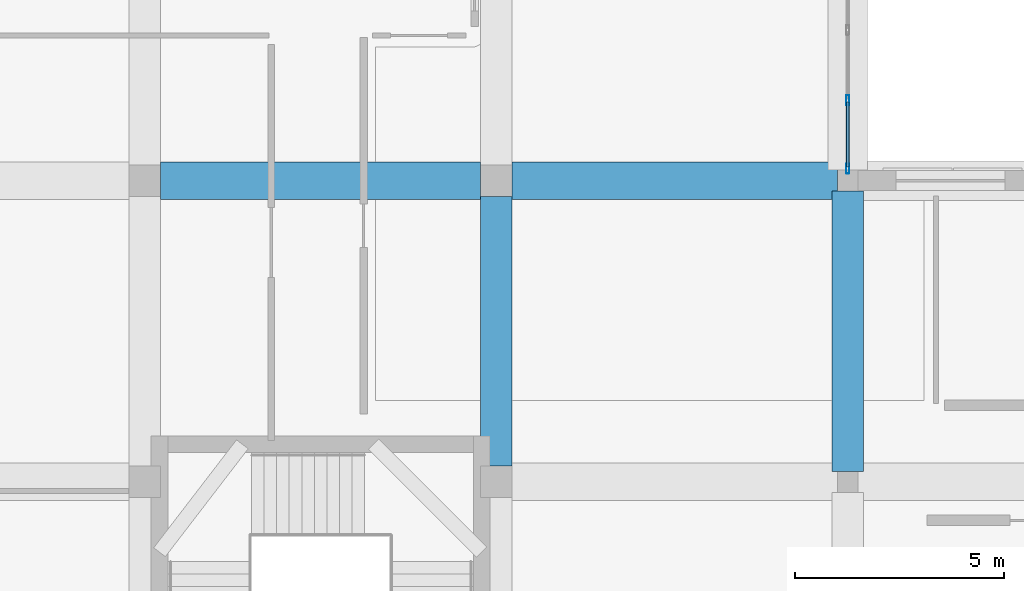
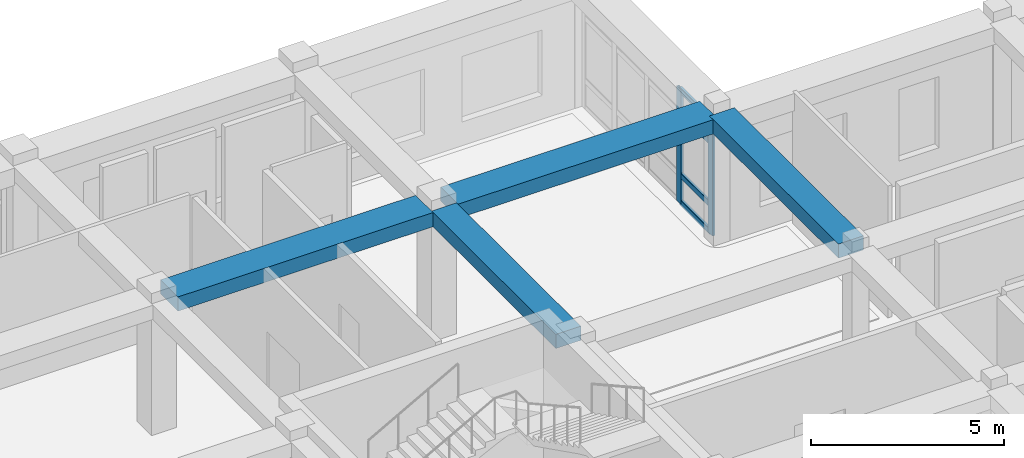
# One storey, part 57 of 121: 6 members, 4 beams, 1 element without a shape of its own.
"""IFC4 building model written with IfcOpenShell, lengths in metres."""

import ifcopenshell
import ifcopenshell.guid

model = None  # the IFC model being written
_history = None  # IfcOwnerHistory: only IFC2X3 demands one
_inside = {}  # id of a spatial element -> (the spatial element, [elements in it])
_under = {}  # id of a project, library or spatial element -> (it, [spatial elements below it])
_declared = {}  # id of a project -> (the project, [libraries it declares])
_typed = {}  # id of a type object -> (the type object, [elements of that type])
_made_of = {}  # id of a material, layer set ... -> (it, [elements and type objects made of it])


def new_model(schema):
    """Start an empty IFC model of exactly this schema.

    Asked for "IFC4X3", IfcOpenShell would pick the latest addendum, in which some entities
    have other attributes; the version numbers below select the first issue.
    IFC2X3 requires an IfcOwnerHistory on every rooted entity: one is made here for all.
    """
    global model, _history
    if schema == "IFC4X3":
        model = ifcopenshell.file(schema_version=(4, 3, 0, 0))
    else:
        model = ifcopenshell.file(schema=schema)
    _inside.clear()
    _under.clear()
    _declared.clear()
    _typed.clear()
    _made_of.clear()
    _history = None
    if model.schema == "IFC2X3":
        org = make("IfcOrganization", Name="unknown")
        user = make(
            "IfcPersonAndOrganization",
            ThePerson=make("IfcPerson", FamilyName="unknown"),
            TheOrganization=org,
        )
        app = make(
            "IfcApplication",
            ApplicationDeveloper=org,
            Version="unknown",
            ApplicationFullName="unknown",
            ApplicationIdentifier="unknown",
        )
        _history = make(
            "IfcOwnerHistory",
            OwningUser=user,
            OwningApplication=app,
            ChangeAction="ADDED",
            CreationDate=0,
        )
    return model


def make(cls, **values):
    """One entity of the class cls with the attributes given. An attribute that is None is left unset."""
    return model.create_entity(
        cls, **{name: value for name, value in values.items() if value is not None}
    )


def rooted(cls, **values):
    """An entity with a GlobalId (a new one), such as an element, a storey or a relation."""
    return make(cls, GlobalId=ifcopenshell.guid.new(), OwnerHistory=_history, **values)


def si_unit(unit_type, name, prefix=None):
    """IfcSIUnit, for example si_unit("LENGTHUNIT", "METRE", prefix="MILLI")."""
    return make("IfcSIUnit", UnitType=unit_type, Prefix=prefix, Name=name)


def derived_unit(unit_type, elements):
    """IfcDerivedUnit: a product of units, each with its exponent."""
    return make(
        "IfcDerivedUnit",
        Elements=[
            make("IfcDerivedUnitElement", Unit=unit, Exponent=power)
            for unit, power in elements
        ],
        UnitType=unit_type,
    )


def assignment(units):
    """IfcUnitAssignment: the units of a project."""
    return None if units is None else make("IfcUnitAssignment", Units=units)


def point(xyz):
    """IfcCartesianPoint."""
    return None if xyz is None else make("IfcCartesianPoint", Coordinates=xyz)


def direction(xyz):
    """IfcDirection."""
    return None if xyz is None else make("IfcDirection", DirectionRatios=xyz)


def frame(location, z_axis=None, x_axis=None):
    """IfcAxis2Placement3D, a coordinate frame: its origin and axes. An axis left out is left unset."""
    return make(
        "IfcAxis2Placement3D",
        Location=point(location),
        Axis=direction(z_axis),
        RefDirection=direction(x_axis),
    )


def frame_2d(location, x_axis=None):
    """IfcAxis2Placement2D, a coordinate frame in the plane: its origin and x axis."""
    return make(
        "IfcAxis2Placement2D", Location=point(location), RefDirection=direction(x_axis)
    )


def origin():
    """The frame at (0, 0, 0) with its axes left unset."""
    return frame((0.0, 0.0, 0.0))


def origin_2d():
    """The frame at (0, 0) in the plane with its x axis left unset."""
    return frame_2d((0.0, 0.0))


def place(relative_to, where):
    """IfcLocalPlacement: puts the frame where relative to a parent placement (None: the world)."""
    return make(
        "IfcLocalPlacement", PlacementRelTo=relative_to, RelativePlacement=where
    )


def context(
    kind, dimensions, precision=None, world=None, true_north=None, identifier=None
):
    """IfcGeometricRepresentationContext, for example the 3D "Model" context."""
    return make(
        "IfcGeometricRepresentationContext",
        ContextIdentifier=identifier,
        ContextType=kind,
        CoordinateSpaceDimension=dimensions,
        Precision=precision,
        WorldCoordinateSystem=world,
        TrueNorth=true_north,
    )


def subcontext(parent, identifier, kind, view, scale=None):
    """IfcGeometricRepresentationSubContext, for example "Body" below "Model"."""
    return make(
        "IfcGeometricRepresentationSubContext",
        ContextIdentifier=identifier,
        ContextType=kind,
        ParentContext=parent,
        TargetScale=scale,
        TargetView=view,
    )


def project(units=None, contexts=None):
    """IfcProject with its units and contexts."""
    return rooted(
        "IfcProject",
        Name="project",
        RepresentationContexts=contexts,
        UnitsInContext=assignment(units),
    )


def spatial(cls, under=None, at=None, **own):
    """A site, building, storey or space (cls), placed at a placement, below another one or the project."""
    s = rooted(cls, ObjectPlacement=at, **own)
    if under is not None:
        _under.setdefault(under.id(), (under, []))[1].append(s)
    return s


def profile(cls, at=None, kind="AREA", **sizes):
    """A parametric profile (cls). Its sizes go by their IFC names, for example OverallWidth=200.0."""
    return make(cls, ProfileType=kind, Position=at, **sizes)


def rectangle(**sizes):
    """IfcRectangleProfileDef."""
    return profile("IfcRectangleProfileDef", **sizes)


def hollow_rectangle(**sizes):
    """IfcRectangleHollowProfileDef."""
    return profile("IfcRectangleHollowProfileDef", **sizes)


def extrude(swept, where, along, depth):
    """IfcExtrudedAreaSolid: the profile swept, set in the frame where, extruded along a direction by depth."""
    return make(
        "IfcExtrudedAreaSolid",
        SweptArea=swept,
        Position=where,
        ExtrudedDirection=direction(along),
        Depth=depth,
    )


def shape(context_of_items, identifier, shape_type, items):
    """IfcShapeRepresentation: the items that make up one representation, for example the "Body"."""
    return make(
        "IfcShapeRepresentation",
        ContextOfItems=context_of_items,
        RepresentationIdentifier=identifier,
        RepresentationType=shape_type,
        Items=items,
    )


def material(Name=None, Category=None):
    """IfcMaterial."""
    return make("IfcMaterial", Name=Name, Category=Category)


def material_profile(
    of_material, cross_section, Name=None, Category=None, Priority=None
):
    """IfcMaterialProfile: a cross section and its material."""
    return make(
        "IfcMaterialProfile",
        Name=Name,
        Material=of_material,
        Profile=cross_section,
        Priority=Priority,
        Category=Category,
    )


def profile_set(profiles, Name=None, composite=None):
    """IfcMaterialProfileSet."""
    return make(
        "IfcMaterialProfileSet",
        Name=Name,
        MaterialProfiles=profiles,
        CompositeProfile=composite,
    )


def made_of(thing, what):
    """Note that an element or type object is made of a material, layer set ...; save() writes the relation."""
    if what is not None:
        _made_of.setdefault(what.id(), (what, []))[1].append(thing)
    return thing


def type_object(cls, material=None, **own):
    """A type object (cls), such as IfcWallType, which elements share."""
    return made_of(rooted(cls, **own), material)


def element(
    cls,
    number,
    at=None,
    inside=None,
    cuts=None,
    type_object=None,
    material=None,
    context=None,
    identifier="Body",
    shape_type=None,
    held_by="IfcProductDefinitionShape",
    body=None,
    shapes=None,
    **own,
):
    """One element of the class cls, such as IfcWall. Its Tag is "e" and its number.

    at: its placement. inside: the storey or other place that contains it. cuts: it is an
    opening in that element (IfcRelVoidsElement). A single representation is given by context,
    identifier, shape_type and body (its items); several are given by shapes. held_by: the class
    of the entity that holds the representations. save() writes the other relations.
    """
    e = rooted(cls, Tag="e%d" % number, ObjectPlacement=at, **own)
    if body is not None:
        shapes = [shape(context, identifier, shape_type, body)]
    if shapes is not None:
        e.Representation = make(held_by, Representations=shapes)
    if inside is not None:
        _inside.setdefault(inside.id(), (inside, []))[1].append(e)
    if cuts is not None:
        rooted(
            "IfcRelVoidsElement", RelatingBuildingElement=cuts, RelatedOpeningElement=e
        )
    if type_object is not None:
        _typed.setdefault(type_object.id(), (type_object, []))[1].append(e)
    return made_of(e, material)


def aggregate(whole, parts):
    """IfcRelAggregates: a whole, such as a stair, and the parts it consists of."""
    return rooted("IfcRelAggregates", RelatingObject=whole, RelatedObjects=parts)


def save(model, path):
    """Write the relations noted so far, then the file.

    IfcRelAggregates (storeys below a building ...), IfcRelContainedInSpatialStructure (elements
    in a storey), IfcRelDefinesByType, IfcRelAssociatesMaterial and IfcRelDeclares: one each for
    every whole, place, type object, material and project.
    """
    for whole, parts in _under.values():
        aggregate(whole, parts)
    for where, things in _inside.values():
        rooted(
            "IfcRelContainedInSpatialStructure",
            RelatedElements=things,
            RelatingStructure=where,
        )
    for kind, things in _typed.values():
        rooted("IfcRelDefinesByType", RelatedObjects=things, RelatingType=kind)
    for what, things in _made_of.values():
        rooted("IfcRelAssociatesMaterial", RelatedObjects=things, RelatingMaterial=what)
    for by, libraries in _declared.values():
        rooted("IfcRelDeclares", RelatingContext=by, RelatedDefinitions=libraries)
    model.write(path)


model = new_model("IFC4")

# Units and contexts
model_context = context("Model", 3, precision=1e-05, world=origin(), true_north=direction((0.0, 1.0)))
body_context = subcontext(model_context, "Body", "Model", "MODEL_VIEW")
ifc_project = project(units=[si_unit("LENGTHUNIT", "METRE"), si_unit("AREAUNIT", "SQUARE_METRE"), si_unit("VOLUMEUNIT", "CUBIC_METRE"), si_unit("PLANEANGLEUNIT", "RADIAN"), si_unit("MASSUNIT", "GRAM", prefix="KILO"), derived_unit("THERMALTRANSMITTANCEUNIT", [(si_unit("POWERUNIT", "WATT"), 1), (si_unit("LENGTHUNIT", "METRE"), -2), (si_unit("THERMODYNAMICTEMPERATUREUNIT", "KELVIN"), -1)])], contexts=[model_context])

# Site, building, storey
site_placement = place(None, origin())
site = spatial("IfcSite", under=ifc_project, at=site_placement, CompositionType="ELEMENT")
building_placement = place(site_placement, origin())
building = spatial("IfcBuilding", under=site, at=building_placement, Name="Veybourne Emporium", CompositionType="ELEMENT")
storey_placement = place(building_placement, frame((0.0, 0.0, 5.39990234375)))
storey = spatial("IfcBuildingStorey", under=building, at=storey_placement, Name="L01", CompositionType="ELEMENT", Elevation=5.39990234375)

# Curtain wall, members
ifc_material_1 = material(Name="Patinated Architectural Bronze", Category="bronze")
curtain_wall_type = type_object("IfcCurtainWallType", Name="CWSystem_CWS-27", PredefinedType="NOTDEFINED", material=ifc_material_1)
curtain_wall_placement = place(storey_placement, origin())
curtain_wall = element("IfcCurtainWall", 1, at=curtain_wall_placement, inside=storey, type_object=curtain_wall_type, Name="L01 bronze glazed curtain wall CWS-27 (070)", PredefinedType="NOTDEFINED")
ifc_material_profile_1 = material_profile(ifc_material_1, hollow_rectangle(XDim=0.077880859375, YDim=0.235107421875, WallThickness=0.0048828125, InnerFilletRadius=0.007568359375, OuterFilletRadius=0.012451171875, at=origin_2d()), Name="CWM 78x235x5")
ifc_profile_set_1 = profile_set([ifc_material_profile_1], Name="Patinated Architectural Bronze")
member_type_1 = type_object("IfcMemberType", Name="CWMullion_CW-M3", PredefinedType="MULLION", material=ifc_profile_set_1)
member_1_placement = place(storey_placement, frame((142.800048828125, 23.52490234375, 0.0), z_axis=(0.0, 0.0, 1.0), x_axis=(1.0, 0.0, 0.0)))
member_1 = element("IfcMember", 2, at=member_1_placement, type_object=member_type_1, Name="CWS-27 mullion 4", PredefinedType="MULLION", context=body_context, shape_type="SweptSolid", body=[
    extrude(hollow_rectangle(XDim=0.077880859375, YDim=0.235107421875, WallThickness=0.0048828125, InnerFilletRadius=0.007568359375, OuterFilletRadius=0.012451171875, at=origin_2d()), origin(), (0.0, 0.0, 1.0), 3.630126953125),
])
member_2_placement = place(storey_placement, frame((142.800048828125, 21.888916015625, 0.0), z_axis=(0.0, 0.0, 1.0), x_axis=(1.0, 0.0, 0.0)))
member_2 = element("IfcMember", 3, at=member_2_placement, type_object=member_type_1, Name="CWS-27 mullion 5", PredefinedType="MULLION", context=body_context, shape_type="SweptSolid", body=[
    extrude(hollow_rectangle(XDim=0.077880859375, YDim=0.235107421875, WallThickness=0.0048828125, InnerFilletRadius=0.007568359375, OuterFilletRadius=0.012451171875, at=origin_2d()), origin(), (0.0, 0.0, 1.0), 3.630126953125),
])
ifc_material_profile_2 = material_profile(ifc_material_1, hollow_rectangle(XDim=0.077880859375, YDim=0.18505859375, WallThickness=0.0048828125, InnerFilletRadius=0.007568359375, OuterFilletRadius=0.012451171875, at=origin_2d()), Name="CWT 78x185x5")
ifc_profile_set_2 = profile_set([ifc_material_profile_2], Name="Patinated Architectural Bronze")
member_type_2 = type_object("IfcMemberType", Name="CWTransom_CW-T3", PredefinedType="NOTDEFINED", material=ifc_profile_set_2)
member_3_placement = place(storey_placement, frame((142.800048828125, 23.486083984375, 0.0390625), z_axis=(0.0, -1.0, 0.0), x_axis=(1.0, 0.0, 0.0)))
member_3 = element("IfcMember", 4, at=member_3_placement, type_object=member_type_2, Name="CWS-27 transom 4.1", ObjectType="TRANSOM", PredefinedType="USERDEFINED", context=body_context, shape_type="SweptSolid", body=[
    extrude(hollow_rectangle(XDim=0.077880859375, YDim=0.18505859375, WallThickness=0.0048828125, InnerFilletRadius=0.007568359375, OuterFilletRadius=0.012451171875, at=origin_2d()), origin(), (0.0, 0.0, 1.0), 1.55810546875),
])
member_4_placement = place(storey_placement, frame((142.800048828125, 23.486083984375, 0.900146484375), z_axis=(0.0, -1.0, 0.0), x_axis=(1.0, 0.0, 0.0)))
member_4 = element("IfcMember", 5, at=member_4_placement, type_object=member_type_2, Name="CWS-27 transom 4.2", ObjectType="TRANSOM", PredefinedType="USERDEFINED", context=body_context, shape_type="SweptSolid", body=[
    extrude(hollow_rectangle(XDim=0.077880859375, YDim=0.18505859375, WallThickness=0.0048828125, InnerFilletRadius=0.007568359375, OuterFilletRadius=0.012451171875, at=origin_2d()), origin(), (0.0, 0.0, 1.0), 1.55810546875),
])
member_5_placement = place(storey_placement, frame((142.800048828125, 23.486083984375, 2.880126953125), z_axis=(0.0, -1.0, 0.0), x_axis=(1.0, 0.0, 0.0)))
member_5 = element("IfcMember", 6, at=member_5_placement, type_object=member_type_2, Name="CWS-27 transom 4.3", ObjectType="TRANSOM", PredefinedType="USERDEFINED", context=body_context, shape_type="SweptSolid", body=[
    extrude(hollow_rectangle(XDim=0.077880859375, YDim=0.18505859375, WallThickness=0.0048828125, InnerFilletRadius=0.007568359375, OuterFilletRadius=0.012451171875, at=origin_2d()), origin(), (0.0, 0.0, 1.0), 1.55810546875),
])
member_6_placement = place(storey_placement, frame((142.800048828125, 23.486083984375, 3.591064453125), z_axis=(0.0, -1.0, 0.0), x_axis=(1.0, 0.0, 0.0)))
member_6 = element("IfcMember", 7, at=member_6_placement, type_object=member_type_2, Name="CWS-27 transom 4.4", ObjectType="TRANSOM", PredefinedType="USERDEFINED", context=body_context, shape_type="SweptSolid", body=[
    extrude(hollow_rectangle(XDim=0.077880859375, YDim=0.18505859375, WallThickness=0.0048828125, InnerFilletRadius=0.007568359375, OuterFilletRadius=0.012451171875, at=origin_2d()), origin(), (0.0, 0.0, 1.0), 1.55810546875),
])
aggregate(curtain_wall, [member_1, member_2, member_3, member_4, member_5, member_6])

# Beams
ifc_material_2 = material(Name="Concrete C32/40", Category="concrete")
ifc_material_profile_3 = material_profile(ifc_material_2, rectangle(XDim=0.89990234375, YDim=0.449951171875, at=origin_2d()), Name="RC 900x450")
ifc_profile_set_3 = profile_set([ifc_material_profile_3], Name="Concrete C32/40")
beam_type_1 = type_object("IfcBeamType", Name="RCBeam_BB-03", PredefinedType="BEAM", material=ifc_profile_set_3)
beam_1_placement = place(storey_placement, frame((126.375, 21.60009765625, 3.955078125), z_axis=(1.0, 0.0, 0.0), x_axis=(0.0, 1.0, 0.0)))
element("IfcBeam", 8, at=beam_1_placement, inside=storey, type_object=beam_type_1, Name="L01 X-grid beam BB-03 (15,3)", PredefinedType="BEAM", context=body_context, shape_type="SweptSolid", body=[
    extrude(rectangle(XDim=0.89990234375, YDim=0.449951171875, at=origin_2d()), origin(), (0.0, 0.0, 1.0), 7.64990234375),
])
beam_2_placement = place(storey_placement, frame((134.77490234375, 21.60009765625, 3.955078125), z_axis=(1.0, 0.0, 0.0), x_axis=(0.0, 1.0, 0.0)))
element("IfcBeam", 9, at=beam_2_placement, inside=storey, type_object=beam_type_1, Name="L01 X-grid beam BB-03 (16,3)", PredefinedType="BEAM", context=body_context, shape_type="SweptSolid", body=[
    extrude(rectangle(XDim=0.89990234375, YDim=0.449951171875, at=origin_2d()), origin(), (0.0, 0.0, 1.0), 7.775146484375),
])
ifc_material_profile_4 = material_profile(ifc_material_2, rectangle(XDim=0.75, YDim=0.449951171875, at=origin_2d()), Name="RC 750x450")
ifc_profile_set_4 = profile_set([ifc_material_profile_4], Name="Concrete C32/40")
beam_type_2 = type_object("IfcBeamType", Name="RCBeam_BB-04", PredefinedType="BEAM", material=ifc_profile_set_4)
beam_3_placement = place(storey_placement, frame((134.39990234375, 14.77490234375, 3.955078125), z_axis=(0.0, 1.0, 0.0), x_axis=(-1.0, 0.0, 0.0)))
element("IfcBeam", 10, at=beam_3_placement, inside=storey, type_object=beam_type_2, Name="L01 Y-grid beam BB-04 (16,2)", PredefinedType="BEAM", context=body_context, shape_type="SweptSolid", body=[
    extrude(rectangle(XDim=0.75, YDim=0.449951171875, at=origin_2d()), origin(), (0.0, 0.0, 1.0), 6.4501953125),
])
beam_4_placement = place(storey_placement, frame((142.800048828125, 14.64990234375, 3.955078125), z_axis=(0.0, 1.0, 0.0), x_axis=(-1.0, 0.0, 0.0)))
element("IfcBeam", 11, at=beam_4_placement, inside=storey, type_object=beam_type_2, Name="L01 Y-grid beam BB-04 (17,2)", PredefinedType="BEAM", context=body_context, shape_type="SweptSolid", body=[
    extrude(rectangle(XDim=0.75, YDim=0.449951171875, at=origin_2d()), origin(), (0.0, 0.0, 1.0), 6.7001953125),
])

save(model, "model.ifc")
